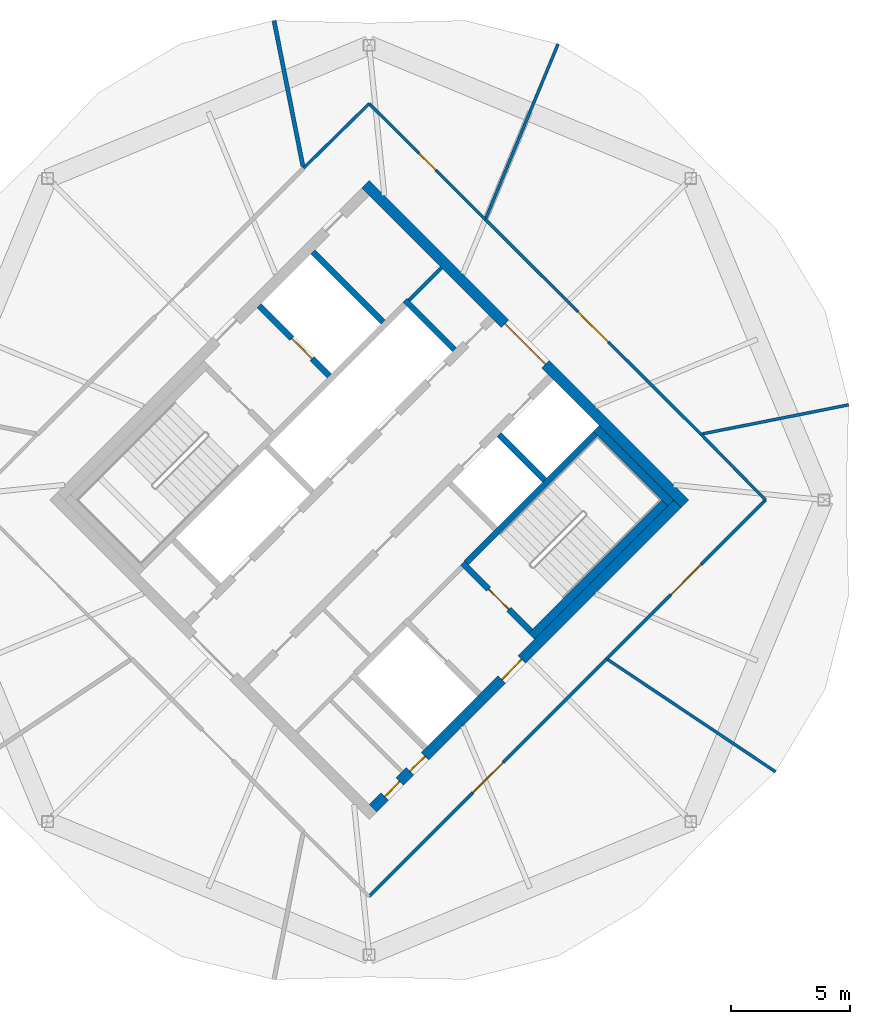
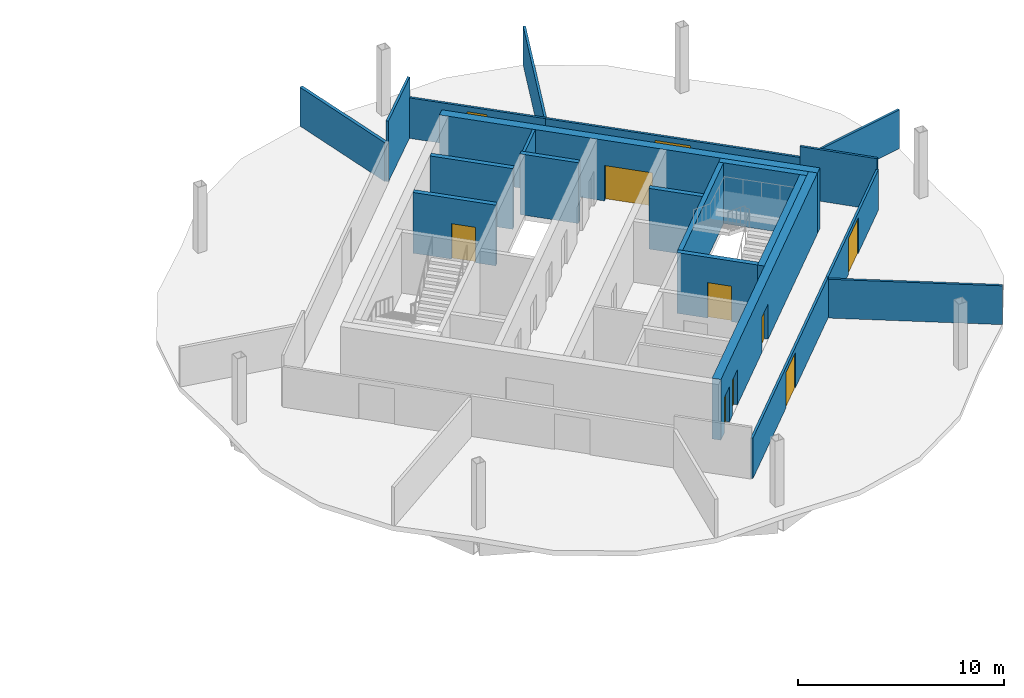
# One storey, part 8 of 10: 21 walls, 10 doors, 10 openings.
"""IFC4 building model written with IfcOpenShell, lengths in metres."""

from ifc_helpers import new_model, si_unit, direction, frame, frame_2d, origin, place, context, subcontext, project, spatial, rectangle, extrude, material, layer, layer_set, type_object, element, fill, save


model = new_model("IFC4")

# Units and contexts
model_context = context("Model", 3, precision=1e-05, world=origin(), true_north=direction((0.0, 1.0)))
body_context = subcontext(model_context, "Body", "Model", "MODEL_VIEW")
ifc_project = project(units=[si_unit("LENGTHUNIT", "METRE"), si_unit("AREAUNIT", "SQUARE_METRE"), si_unit("VOLUMEUNIT", "CUBIC_METRE"), si_unit("PLANEANGLEUNIT", "RADIAN"), si_unit("MASSUNIT", "GRAM", prefix="KILO")], contexts=[model_context])

# Site, building, storey
site_placement = place(None, origin())
site = spatial("IfcSite", under=ifc_project, at=site_placement, CompositionType="ELEMENT")
building_placement = place(site_placement, origin())
building = spatial("IfcBuilding", under=site, at=building_placement, Name="Ogive Gate Towers", CompositionType="ELEMENT")
storey_placement = place(building_placement, frame((0.0, 0.0, 232.800048828125)))
storey = spatial("IfcBuildingStorey", under=building, at=storey_placement, Name="L55", CompositionType="ELEMENT", Elevation=232.800048828125)

# Wall
ifc_material_1 = material(Name="Gypsum board acoustic partition")
ifc_layer_1 = layer(ifc_material_1, 0.175048828125)
ifc_layer_set_1 = layer_set([ifc_layer_1], Name="Acoustic partition 175")
wall_type_1 = type_object("IfcWallType", Name="Acoustic partition 175", PredefinedType="PARTITIONING", material=ifc_layer_set_1)
wall_1_placement = place(storey_placement, frame((31.99951171875, 20.156494140625, 0.0), z_axis=(0.0, 0.0, 1.0), x_axis=(0.194674004702, -0.98086799922, 0.0)))
element("IfcWall", 1, at=wall_1_placement, inside=storey, type_object=wall_type_1, Name="Partition T2-L55-003", PredefinedType="PARTITIONING", context=body_context, shape_type="SweptSolid", body=[
    extrude(rectangle(XDim=6.251708984375, YDim=0.175048828125, at=frame_2d((3.1259765625, 0.0))), origin(), (0.0, 0.0, 1.0), 2.300048828125),
])

# Wall, openings, doors
ifc_material_2 = material(Name="Concrete C60/75", Category="concrete")
ifc_layer_2 = layer(ifc_material_2, 0.449951171875)
ifc_layer_set_2 = layer_set([ifc_layer_2], Name="Core wall 450 mm")
wall_type_2 = type_object("IfcWallType", Name="Core wall 450 mm", PredefinedType="SHEAR", material=ifc_layer_set_2)
wall_2_placement = place(storey_placement, frame((36.1591796875, -12.957763671875, 0.0), z_axis=(0.0, 0.0, 1.0), x_axis=(0.707106781187, 0.707106781187, 0.0)))
wall_2 = element("IfcWall", 2, at=wall_2_placement, inside=storey, type_object=wall_type_2, Name="T2 L55 Core wall 450 mm", PredefinedType="SHEAR", context=body_context, shape_type="SweptSolid", body=[
    extrude(rectangle(XDim=18.099853515625, YDim=0.449951171875, at=frame_2d((9.0498046875, 0.0))), origin(), (0.0, 0.0, 1.0), 3.599853515625),
])
opening_1_placement = place(wall_2_placement, frame((7.64990234375, 0.0, 0.0)))
opening_1 = element("IfcOpeningElement", 3, at=opening_1_placement, cuts=wall_2, Name="Opening KD-T2-L55-19", PredefinedType="OPENING", context=body_context, shape_type="SweptSolid", body=[
    extrude(rectangle(XDim=1.199951171875, YDim=2.10009765625, at=frame_2d((0.60009765625, 1.050048828125))), frame((0.0, 0.23486328125, 0.0), z_axis=(0.0, -1.0, 0.0), x_axis=(1.0, 0.0, 0.0)), (0.0, 0.0, 1.0), 0.469970703125),
])
opening_2_placement = place(wall_2_placement, frame((0.699951171875, 0.0, 0.0)))
opening_2 = element("IfcOpeningElement", 4, at=opening_2_placement, cuts=wall_2, Name="Opening KD-T2-L55-21", PredefinedType="OPENING", context=body_context, shape_type="SweptSolid", body=[
    extrude(rectangle(XDim=0.89990234375, YDim=2.10009765625, at=frame_2d((0.449951171875, 1.050048828125))), frame((0.0, 0.23486328125, 0.0), z_axis=(0.0, -1.0, 0.0), x_axis=(1.0, 0.0, 0.0)), (0.0, 0.0, 1.0), 0.469970703125),
])
opening_3_placement = place(wall_2_placement, frame((2.199951171875, 0.0, 0.0)))
opening_3 = element("IfcOpeningElement", 5, at=opening_3_placement, cuts=wall_2, Name="Opening KD-T2-L55-22", PredefinedType="OPENING", context=body_context, shape_type="SweptSolid", body=[
    extrude(rectangle(XDim=0.89990234375, YDim=2.10009765625, at=frame_2d((0.449951171875, 1.050048828125))), frame((0.0, 0.23486328125, 0.0), z_axis=(0.0, -1.0, 0.0), x_axis=(1.0, 0.0, 0.0)), (0.0, 0.0, 1.0), 0.469970703125),
])
ifc_material_3 = material(Name="Timber door", Category="wood")
door_type_1 = type_object("IfcDoorType", Name="Core WC door 900 x 2100", OperationType="NOTDEFINED", PredefinedType="DOOR", material=ifc_material_3)
door_1_placement = place(opening_2_placement, origin())
door_1 = element("IfcDoor", 6, at=door_1_placement, inside=storey, type_object=door_type_1, Name="T2 L55 Core door", OperationType="SINGLE_SWING_RIGHT", OverallHeight=2.10009765625, OverallWidth=0.89990234375, PredefinedType="DOOR", context=body_context, shape_type="SweptSolid", body=[
    extrude(rectangle(XDim=0.89990234375, YDim=2.10009765625, at=frame_2d((0.449951171875, 1.050048828125))), frame((0.0, 0.02490234375, 0.0), z_axis=(0.0, -1.0, 0.0), x_axis=(1.0, 0.0, 0.0)), (0.0, 0.0, 1.0), 0.050048828125),
])
fill(opening_2, door_1)
door_2_placement = place(opening_3_placement, origin())
door_2 = element("IfcDoor", 7, at=door_2_placement, inside=storey, type_object=door_type_1, Name="T2 L55 Core door", OperationType="SINGLE_SWING_LEFT", OverallHeight=2.10009765625, OverallWidth=0.89990234375, PredefinedType="DOOR", context=body_context, shape_type="SweptSolid", body=[
    extrude(rectangle(XDim=0.89990234375, YDim=2.10009765625, at=frame_2d((0.449951171875, 1.050048828125))), frame((0.0, 0.02490234375, 0.0), z_axis=(0.0, -1.0, 0.0), x_axis=(1.0, 0.0, 0.0)), (0.0, 0.0, 1.0), 0.050048828125),
])
fill(opening_3, door_2)
ifc_material_4 = material(Name="Steel fire door", Category="steel")
door_type_2 = type_object("IfcDoorType", Name="Core door FD60S 1200 x 2100", OperationType="NOTDEFINED", PredefinedType="DOOR", material=ifc_material_4)
door_3_placement = place(opening_1_placement, origin())
door_3 = element("IfcDoor", 8, at=door_3_placement, inside=storey, type_object=door_type_2, Name="T2 L55 Fire-fighting lobby door", OperationType="SINGLE_SWING_RIGHT", OverallHeight=2.10009765625, OverallWidth=1.199951171875, PredefinedType="DOOR", context=body_context, shape_type="SweptSolid", body=[
    extrude(rectangle(XDim=1.199951171875, YDim=2.10009765625, at=frame_2d((0.60009765625, 1.050048828125))), frame((0.0, 0.02490234375, 0.0), z_axis=(0.0, -1.0, 0.0), x_axis=(1.0, 0.0, 0.0)), (0.0, 0.0, 1.0), 0.050048828125),
])
fill(opening_1, door_3)

# Wall, opening, door
wall_3_placement = place(storey_placement, frame((49.27587890625, -0.1591796875, 0.0), z_axis=(0.0, 0.0, 1.0), x_axis=(-0.707106781187, 0.707106781187, 0.0)))
wall_3 = element("IfcWall", 9, at=wall_3_placement, inside=storey, type_object=wall_type_2, Name="T2 L55 Core wall 450 mm", PredefinedType="SHEAR", context=body_context, shape_type="SweptSolid", body=[
    extrude(rectangle(XDim=19.0, YDim=0.449951171875, at=frame_2d((9.5, 0.0))), origin(), (0.0, 0.0, 1.0), 3.599853515625),
])
opening_4_placement = place(wall_3_placement, frame((8.300048828125, 0.0, 0.0)))
opening_4 = element("IfcOpeningElement", 10, at=opening_4_placement, cuts=wall_3, Name="Opening KD-T2-L55-02", PredefinedType="OPENING", context=body_context, shape_type="SweptSolid", body=[
    extrude(rectangle(XDim=2.39990234375, YDim=2.10009765625, at=frame_2d((1.199951171875, 1.050048828125))), frame((0.0, 0.23486328125, 0.0), z_axis=(0.0, -1.0, 0.0), x_axis=(1.0, 0.0, 0.0)), (0.0, 0.0, 1.0), 0.469970703125),
])
door_type_3 = type_object("IfcDoorType", Name="Core double door FD60S 2400 x 2100", OperationType="DOUBLE_DOOR_SINGLE_SWING", PredefinedType="DOOR", material=ifc_material_4)
door_4_placement = place(opening_4_placement, origin())
door_4 = element("IfcDoor", 11, at=door_4_placement, inside=storey, type_object=door_type_3, Name="T2 L55 Core door double", OperationType="DOUBLE_DOOR_SINGLE_SWING", OverallHeight=2.10009765625, OverallWidth=2.39990234375, PredefinedType="DOOR", context=body_context, shape_type="SweptSolid", body=[
    extrude(rectangle(XDim=2.39990234375, YDim=2.10009765625, at=frame_2d((1.199951171875, 1.050048828125))), frame((0.0, 0.02490234375, 0.0), z_axis=(0.0, -1.0, 0.0), x_axis=(1.0, 0.0, 0.0)), (0.0, 0.0, 1.0), 0.050048828125),
])
fill(opening_4, door_4)

# Walls
ifc_material_5 = material(Name="Gypsum board partition")
ifc_layer_3 = layer(ifc_material_5, 0.125)
ifc_layer_set_3 = layer_set([ifc_layer_3], Name="Partition 125")
wall_type_3 = type_object("IfcWallType", Name="Partition 125", PredefinedType="PARTITIONING", material=ifc_layer_set_3)
wall_4_placement = place(storey_placement, frame((56.156494140625, 4.00048828125, 0.0), z_axis=(0.0, 0.0, 1.0), x_axis=(-0.980866863673, -0.194679726085, 0.0)))
element("IfcWall", 12, at=wall_4_placement, inside=storey, type_object=wall_type_3, Name="Partition T2-L55-001", PredefinedType="PARTITIONING", context=body_context, shape_type="SweptSolid", body=[
    extrude(rectangle(XDim=6.276611328125, YDim=0.125, at=frame_2d((3.13818359375, 0.0))), origin(), (0.0, 0.0, 1.0), 2.300048828125),
])
wall_5_placement = place(storey_placement, frame((43.940673828125, 19.170654296875, 0.0), z_axis=(0.0, 0.0, 1.0), x_axis=(-0.382663714517, -0.923887699665, 0.0)))
element("IfcWall", 13, at=wall_5_placement, inside=storey, type_object=wall_type_3, Name="Partition T2-L55-002", PredefinedType="PARTITIONING", context=body_context, shape_type="SweptSolid", body=[
    extrude(rectangle(XDim=7.926513671875, YDim=0.125, at=frame_2d((3.96337890625, 0.0))), origin(), (0.0, 0.0, 1.0), 2.300048828125),
])
wall_6_placement = place(storey_placement, frame((53.081298828125, -11.424072265625, 0.0), z_axis=(0.0, 0.0, 1.0), x_axis=(-0.831225196117, 0.555935853619, 0.0)))
element("IfcWall", 14, at=wall_6_placement, inside=storey, type_object=wall_type_3, Name="Partition T2-L55-007", PredefinedType="PARTITIONING", context=body_context, shape_type="SweptSolid", body=[
    extrude(rectangle(XDim=8.4765625, YDim=0.125, at=frame_2d((4.23828125, 0.0))), origin(), (0.0, 0.0, 1.0), 2.300048828125),
])

# Wall, opening, door
wall_7_placement = place(storey_placement, frame((36.0, -16.659423828125, 0.0), z_axis=(0.0, 0.0, 1.0), x_axis=(0.707141366146, 0.707072194536, 0.0)))
wall_7 = element("IfcWall", 15, at=wall_7_placement, inside=storey, type_object=wall_type_3, Name="Partition T2-L55-011", PredefinedType="PARTITIONING", context=body_context, shape_type="SweptSolid", body=[
    extrude(rectangle(XDim=14.117919921875, YDim=0.125, at=frame_2d((7.05908203125, 0.0))), origin(), (0.0, 0.0, 1.0), 2.39990234375),
])
opening_5_placement = place(wall_7_placement, frame((6.158935546875, 0.0, 0.0)))
opening_5 = element("IfcOpeningElement", 16, at=opening_5_placement, cuts=wall_7, Name="Opening T2-L55-D03", PredefinedType="OPENING", context=body_context, shape_type="SweptSolid", body=[
    extrude(rectangle(XDim=1.800048828125, YDim=2.10009765625, at=frame_2d((0.89990234375, 1.050048828125))), frame((0.0, 0.072509765625, 0.0), z_axis=(0.0, -1.0, 0.0), x_axis=(1.0, 0.0, 0.0)), (0.0, 0.0, 1.0), 0.14501953125),
])
door_type_4 = type_object("IfcDoorType", Name="Door pair 1800", OperationType="NOTDEFINED", PredefinedType="DOOR", material=ifc_material_3)
door_5_placement = place(opening_5_placement, origin())
door_5 = element("IfcDoor", 17, at=door_5_placement, inside=storey, type_object=door_type_4, Name="Door T2-L55-D03", OperationType="DOUBLE_DOOR_DOUBLE_SWING", OverallHeight=2.10009765625, OverallWidth=1.800048828125, PredefinedType="DOOR", context=body_context, shape_type="SweptSolid", body=[
    extrude(rectangle(XDim=1.800048828125, YDim=2.10009765625, at=frame_2d((0.89990234375, 1.050048828125))), frame((0.0, 0.02490234375, 0.0), z_axis=(0.0, -1.0, 0.0), x_axis=(1.0, 0.0, 0.0)), (0.0, 0.0, 1.0), 0.050048828125),
])
fill(opening_5, door_5)

wall_8_placement = place(storey_placement, frame((45.9833984375, -6.677001953125, 0.0), z_axis=(0.0, 0.0, 1.0), x_axis=(0.707055065632, 0.707158492959, 0.0)))
wall_8 = element("IfcWall", 18, at=wall_8_placement, inside=storey, type_object=wall_type_3, Name="Partition T2-L55-013", PredefinedType="PARTITIONING", context=body_context, shape_type="SweptSolid", body=[
    extrude(rectangle(XDim=9.44189453125, YDim=0.125, at=frame_2d((4.720947265625, 0.0))), origin(), (0.0, 0.0, 1.0), 2.39990234375),
])
opening_6_placement = place(wall_8_placement, frame((3.821044921875, 0.0, 0.0)))
opening_6 = element("IfcOpeningElement", 19, at=opening_6_placement, cuts=wall_8, Name="Opening T2-L55-D04", PredefinedType="OPENING", context=body_context, shape_type="SweptSolid", body=[
    extrude(rectangle(XDim=1.800048828125, YDim=2.10009765625, at=frame_2d((0.89990234375, 1.050048828125))), frame((0.0, 0.072509765625, 0.0), z_axis=(0.0, -1.0, 0.0), x_axis=(1.0, 0.0, 0.0)), (0.0, 0.0, 1.0), 0.14501953125),
])
door_6_placement = place(opening_6_placement, origin())
door_6 = element("IfcDoor", 20, at=door_6_placement, inside=storey, type_object=door_type_4, Name="Door T2-L55-D04", OperationType="DOUBLE_DOOR_DOUBLE_SWING", OverallHeight=2.10009765625, OverallWidth=1.800048828125, PredefinedType="DOOR", context=body_context, shape_type="SweptSolid", body=[
    extrude(rectangle(XDim=1.800048828125, YDim=2.10009765625, at=frame_2d((0.89990234375, 1.050048828125))), frame((0.0, 0.02490234375, 0.0), z_axis=(0.0, -1.0, 0.0), x_axis=(1.0, 0.0, 0.0)), (0.0, 0.0, 1.0), 0.050048828125),
])
fill(opening_6, door_6)

# Wall
wall_9_placement = place(storey_placement, frame((52.659423828125, 0.0, 0.0), z_axis=(0.0, 0.0, 1.0), x_axis=(-0.701199130072, 0.712965483026, 0.0)))
element("IfcWall", 21, at=wall_9_placement, inside=storey, type_object=wall_type_3, Name="Partition T2-L55-014", PredefinedType="PARTITIONING", context=body_context, shape_type="SweptSolid", body=[
    extrude(rectangle(XDim=3.880126953125, YDim=0.125, at=frame_2d((1.93994140625, 0.0))), origin(), (0.0, 0.0, 1.0), 3.050048828125),
])

# Wall, opening, door
wall_10_placement = place(storey_placement, frame((49.938720703125, 2.766357421875, 0.0), z_axis=(0.0, 0.0, 1.0), x_axis=(-0.708347065463, 0.705864317592, 0.0)))
wall_10 = element("IfcWall", 22, at=wall_10_placement, inside=storey, type_object=wall_type_3, Name="Partition T2-L55-015", PredefinedType="PARTITIONING", context=body_context, shape_type="SweptSolid", body=[
    extrude(rectangle(XDim=12.783447265625, YDim=0.125, at=frame_2d((6.3916015625, 0.0))), origin(), (0.0, 0.0, 1.0), 2.39990234375),
])
opening_7_placement = place(wall_10_placement, frame((5.491943359375, 0.0, 0.0)))
opening_7 = element("IfcOpeningElement", 23, at=opening_7_placement, cuts=wall_10, Name="Opening T2-L55-D05", PredefinedType="OPENING", context=body_context, shape_type="SweptSolid", body=[
    extrude(rectangle(XDim=1.800048828125, YDim=2.10009765625, at=frame_2d((0.89990234375, 1.050048828125))), frame((0.0, 0.072509765625, 0.0), z_axis=(0.0, -1.0, 0.0), x_axis=(1.0, 0.0, 0.0)), (0.0, 0.0, 1.0), 0.14501953125),
])
door_7_placement = place(opening_7_placement, origin())
door_7 = element("IfcDoor", 24, at=door_7_placement, inside=storey, type_object=door_type_4, Name="Door T2-L55-D05", OperationType="DOUBLE_DOOR_DOUBLE_SWING", OverallHeight=2.10009765625, OverallWidth=1.800048828125, PredefinedType="DOOR", context=body_context, shape_type="SweptSolid", body=[
    extrude(rectangle(XDim=1.800048828125, YDim=2.10009765625, at=frame_2d((0.89990234375, 1.050048828125))), frame((0.0, 0.02490234375, 0.0), z_axis=(0.0, -1.0, 0.0), x_axis=(1.0, 0.0, 0.0)), (0.0, 0.0, 1.0), 0.050048828125),
])
fill(opening_7, door_7)

wall_11_placement = place(storey_placement, frame((40.883544921875, 11.789794921875, 0.0), z_axis=(0.0, 0.0, 1.0), x_axis=(-0.70811497392, 0.706097148918, 0.0)))
wall_11 = element("IfcWall", 25, at=wall_11_placement, inside=storey, type_object=wall_type_3, Name="Partition T2-L55-016", PredefinedType="PARTITIONING", context=body_context, shape_type="SweptSolid", body=[
    extrude(rectangle(XDim=6.896484375, YDim=0.125, at=frame_2d((3.4482421875, 0.0))), origin(), (0.0, 0.0, 1.0), 2.39990234375),
])
opening_8_placement = place(wall_11_placement, frame((2.947998046875, 0.0, 0.0)))
opening_8 = element("IfcOpeningElement", 26, at=opening_8_placement, cuts=wall_11, Name="Opening T2-L55-D06", PredefinedType="OPENING", context=body_context, shape_type="SweptSolid", body=[
    extrude(rectangle(XDim=1.0, YDim=2.10009765625, at=frame_2d((0.5, 1.050048828125))), frame((0.0, 0.072509765625, 0.0), z_axis=(0.0, -1.0, 0.0), x_axis=(1.0, 0.0, 0.0)), (0.0, 0.0, 1.0), 0.14501953125),
])
door_type_5 = type_object("IfcDoorType", Name="Door 1000", OperationType="NOTDEFINED", PredefinedType="DOOR", material=ifc_material_3)
door_8_placement = place(opening_8_placement, origin())
door_8 = element("IfcDoor", 27, at=door_8_placement, inside=storey, type_object=door_type_5, Name="Door T2-L55-D06", OperationType="SINGLE_SWING_RIGHT", OverallHeight=2.10009765625, OverallWidth=1.0, PredefinedType="DOOR", context=body_context, shape_type="SweptSolid", body=[
    extrude(rectangle(XDim=1.0, YDim=2.10009765625, at=frame_2d((0.5, 1.050048828125))), frame((0.0, 0.02490234375, 0.0), z_axis=(0.0, -1.0, 0.0), x_axis=(1.0, 0.0, 0.0)), (0.0, 0.0, 1.0), 0.050048828125),
])
fill(opening_8, door_8)

# Walls
wall_12_placement = place(storey_placement, frame((36.0, 16.659423828125, 0.0), z_axis=(0.0, 0.0, 1.0), x_axis=(-0.712965483026, -0.701199130072, 0.0)))
element("IfcWall", 28, at=wall_12_placement, inside=storey, type_object=wall_type_3, Name="Partition T2-L55-017", PredefinedType="PARTITIONING", context=body_context, shape_type="SweptSolid", body=[
    extrude(rectangle(XDim=3.880126953125, YDim=0.125, at=frame_2d((1.93994140625, 0.0))), origin(), (0.0, 0.0, 1.0), 3.599853515625),
])
ifc_layer_4 = layer(ifc_material_5, 0.14990234375)
ifc_layer_set_4 = layer_set([ifc_layer_4], Name="Room partition 150 mm")
wall_type_4 = type_object("IfcWallType", Name="Room partition 150 mm", PredefinedType="PARTITIONING", material=ifc_layer_set_4)
wall_13_placement = place(storey_placement, frame((37.679443359375, 8.39697265625, 0.0), z_axis=(0.0, 0.0, 1.0), x_axis=(0.707106781187, 0.707106781187, 0.0)))
element("IfcWall", 29, at=wall_13_placement, inside=storey, type_object=wall_type_4, Name="T2 L55 Room partition 150 mm", PredefinedType="PARTITIONING", context=body_context, shape_type="SweptSolid", body=[
    extrude(rectangle(XDim=1.9248046875, YDim=0.14990234375, at=frame_2d((0.96240234375, 0.0))), origin(), (0.0, 0.0, 1.0), 3.599853515625),
])
ifc_layer_5 = layer(ifc_material_2, 0.25)
ifc_layer_set_5 = layer_set([ifc_layer_5], Name="Shaft wall 250 mm")
wall_type_5 = type_object("IfcWallType", Name="Shaft wall 250 mm", PredefinedType="SHEAR", material=ifc_layer_set_5)
wall_14_placement = place(storey_placement, frame((40.08349609375, -2.634033203125, 0.0), z_axis=(0.0, 0.0, 1.0), x_axis=(0.707090876314, 0.707122685701, 0.0)))
element("IfcWall", 30, at=wall_14_placement, inside=storey, type_object=wall_type_5, Name="T2 L55 Shaft wall 250 mm", PredefinedType="SHEAR", context=body_context, shape_type="SweptSolid", body=[
    extrude(rectangle(XDim=7.675048828125, YDim=0.25, at=frame_2d((3.83740234375, 0.0))), origin(), (0.0, 0.0, 1.0), 3.599853515625),
])

# Wall, opening, door
wall_15_placement = place(storey_placement, frame((42.7880859375, -5.515380859375, 0.0), z_axis=(0.0, 0.0, 1.0), x_axis=(-0.707106781187, 0.707106781187, 0.0)))
wall_15 = element("IfcWall", 31, at=wall_15_placement, inside=storey, type_object=wall_type_5, Name="T2 L55 Shaft wall 250 mm", PredefinedType="SHEAR", context=body_context, shape_type="SweptSolid", body=[
    extrude(rectangle(XDim=4.050048828125, YDim=0.25, at=frame_2d((2.02490234375, 0.0))), origin(), (0.0, 0.0, 1.0), 3.599853515625),
])
opening_9_placement = place(wall_15_placement, frame((1.300048828125, 0.0, 0.0)))
opening_9 = element("IfcOpeningElement", 32, at=opening_9_placement, cuts=wall_15, Name="Opening KD-T2-L55-17", PredefinedType="OPENING", context=body_context, shape_type="SweptSolid", body=[
    extrude(rectangle(XDim=1.199951171875, YDim=2.10009765625, at=frame_2d((0.60009765625, 1.050048828125))), frame((0.0, 0.135009765625, 0.0), z_axis=(0.0, -1.0, 0.0), x_axis=(1.0, 0.0, 0.0)), (0.0, 0.0, 1.0), 0.27001953125),
])
door_9_placement = place(opening_9_placement, origin())
door_9 = element("IfcDoor", 33, at=door_9_placement, inside=storey, type_object=door_type_2, Name="T2 L55 Stair door", OperationType="SINGLE_SWING_RIGHT", OverallHeight=2.10009765625, OverallWidth=1.199951171875, PredefinedType="DOOR", context=body_context, shape_type="SweptSolid", body=[
    extrude(rectangle(XDim=1.199951171875, YDim=2.10009765625, at=frame_2d((0.60009765625, 1.050048828125))), frame((0.0, 0.02490234375, 0.0), z_axis=(0.0, -1.0, 0.0), x_axis=(1.0, 0.0, 0.0)), (0.0, 0.0, 1.0), 0.050048828125),
])
fill(opening_9, door_9)

wall_16_placement = place(storey_placement, frame((34.320556640625, 5.21484375, 0.0), z_axis=(0.0, 0.0, 1.0), x_axis=(-0.707106781187, 0.707106781187, 0.0)))
wall_16 = element("IfcWall", 34, at=wall_16_placement, inside=storey, type_object=wall_type_5, Name="T2 L55 Shaft wall 250 mm", PredefinedType="SHEAR", context=body_context, shape_type="SweptSolid", body=[
    extrude(rectangle(XDim=4.175048828125, YDim=0.25, at=frame_2d((2.08740234375, 0.0))), origin(), (0.0, 0.0, 1.0), 3.599853515625),
])
opening_10_placement = place(wall_16_placement, frame((1.02490234375, 0.0, 0.0)))
opening_10 = element("IfcOpeningElement", 35, at=opening_10_placement, cuts=wall_16, Name="Opening LD-T2-L55-12", PredefinedType="OPENING", context=body_context, shape_type="SweptSolid", body=[
    extrude(rectangle(XDim=1.199951171875, YDim=2.10009765625, at=frame_2d((0.60009765625, 1.050048828125))), frame((0.0, 0.135009765625, 0.0), z_axis=(0.0, -1.0, 0.0), x_axis=(1.0, 0.0, 0.0)), (0.0, 0.0, 1.0), 0.27001953125),
])
ifc_material_6 = material(Name="Stainless steel landing door", Category="steel")
door_type_6 = type_object("IfcDoorType", Name="Landing door 1200 x 2100", OperationType="SLIDING_TO_LEFT", PredefinedType="DOOR", material=ifc_material_6)
door_10_placement = place(opening_10_placement, origin())
door_10 = element("IfcDoor", 36, at=door_10_placement, inside=storey, type_object=door_type_6, Name="T2 L55 Lift landing door FF1", OperationType="SLIDING_TO_LEFT", OverallHeight=2.10009765625, OverallWidth=1.199951171875, PredefinedType="DOOR", context=body_context, shape_type="SweptSolid", body=[
    extrude(rectangle(XDim=1.199951171875, YDim=2.10009765625, at=frame_2d((0.60009765625, 1.050048828125))), frame((0.0, 0.02490234375, 0.0), z_axis=(0.0, -1.0, 0.0), x_axis=(1.0, 0.0, 0.0)), (0.0, 0.0, 1.0), 0.050048828125),
])
fill(opening_10, door_10)

# Walls
wall_17_placement = place(storey_placement, frame((36.58349609375, 7.477783203125, 0.0), z_axis=(0.0, 0.0, 1.0), x_axis=(-0.707165256008, 0.707048301529, 0.0)))
element("IfcWall", 37, at=wall_17_placement, inside=storey, type_object=wall_type_5, Name="T2 L55 Shaft wall 250 mm", PredefinedType="SHEAR", context=body_context, shape_type="SweptSolid", body=[
    extrude(rectangle(XDim=4.175048828125, YDim=0.25, at=frame_2d((2.08740234375, 0.0))), origin(), (0.0, 0.0, 1.0), 3.599853515625),
])
wall_18_placement = place(storey_placement, frame((43.37158203125, 0.830810546875, 0.0), z_axis=(0.0, 0.0, 1.0), x_axis=(-0.707106781187, 0.707106781187, 0.0)))
element("IfcWall", 38, at=wall_18_placement, inside=storey, type_object=wall_type_5, Name="T2 L55 Shaft wall 250 mm", PredefinedType="SHEAR", context=body_context, shape_type="SweptSolid", body=[
    extrude(rectangle(XDim=2.699951171875, YDim=0.25, at=frame_2d((1.35009765625, 0.0))), origin(), (0.0, 0.0, 1.0), 3.599853515625),
])
wall_19_placement = place(storey_placement, frame((39.588623046875, 6.310791015625, 0.0), z_axis=(0.0, 0.0, 1.0), x_axis=(-0.707065402085, 0.707148157867, 0.0)))
element("IfcWall", 39, at=wall_19_placement, inside=storey, type_object=wall_type_5, Name="T2 L55 Shaft wall 250 mm", PredefinedType="SHEAR", context=body_context, shape_type="SweptSolid", body=[
    extrude(rectangle(XDim=2.9501953125, YDim=0.25, at=frame_2d((1.47509765625, 0.0))), origin(), (0.0, 0.0, 1.0), 3.599853515625),
])
ifc_layer_6 = layer(ifc_material_2, 0.35009765625)
ifc_layer_set_6 = layer_set([ifc_layer_6], Name="Stair wall 350 mm")
wall_type_6 = type_object("IfcWallType", Name="Stair wall 350 mm", PredefinedType="SHEAR", material=ifc_layer_set_6)
wall_20_placement = place(storey_placement, frame((42.823486328125, -5.7275390625, 0.0), z_axis=(0.0, 0.0, 1.0), x_axis=(0.707122184046, 0.707091377991, 0.0)))
element("IfcWall", 40, at=wall_20_placement, inside=storey, type_object=wall_type_6, Name="T2 L55 Stair wall 350 mm", PredefinedType="SHEAR", context=body_context, shape_type="SweptSolid", body=[
    extrude(rectangle(XDim=7.925048828125, YDim=0.35009765625, at=frame_2d((3.96240234375, 0.0))), origin(), (0.0, 0.0, 1.0), 3.599853515625),
])
wall_21_placement = place(storey_placement, frame((48.6748046875, -0.123779296875, 0.0), z_axis=(0.0, 0.0, 1.0), x_axis=(-0.707106781187, 0.707106781187, 0.0)))
element("IfcWall", 41, at=wall_21_placement, inside=storey, type_object=wall_type_6, Name="T2 L55 Stair wall 350 mm", PredefinedType="SHEAR", context=body_context, shape_type="SweptSolid", body=[
    extrude(rectangle(XDim=4.425048828125, YDim=0.35009765625, at=frame_2d((2.21240234375, 0.0))), origin(), (0.0, 0.0, 1.0), 3.599853515625),
])

save(model, "model.ifc")
